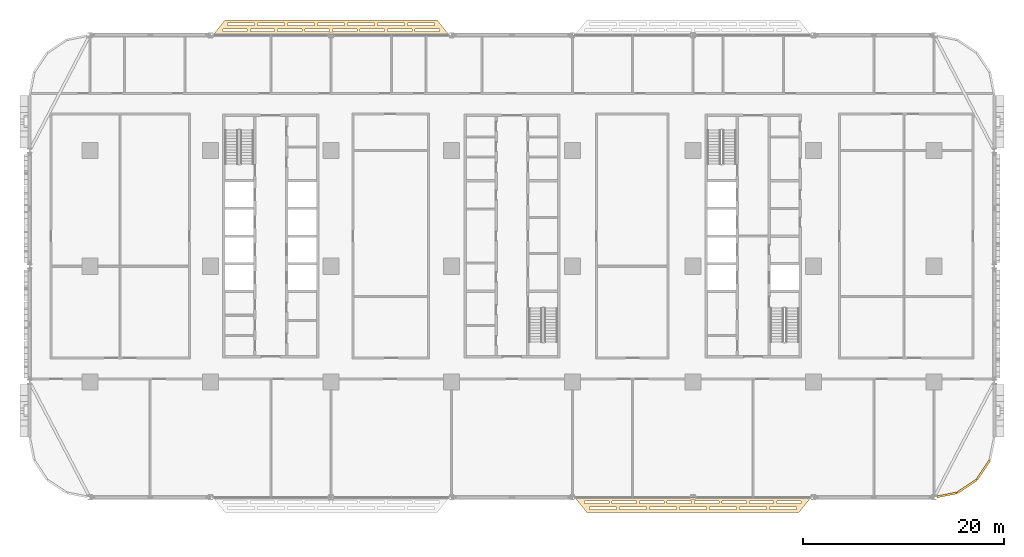
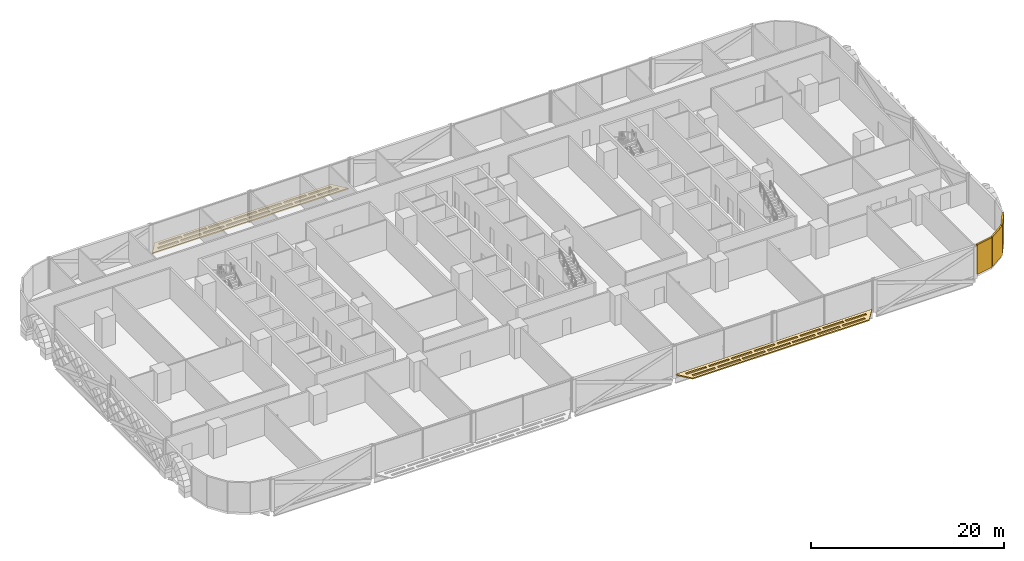
# One storey, part 26 of 29: 5 coverings.
"""IFC4 building model written with IfcOpenShell, lengths in metres."""

from ifc_helpers import new_model, si_unit, direction, frame, origin, origin_2d, place, context, subcontext, project, spatial, polyline, rectangle, outline, extrude, material, layer, layer_set, type_object, element, save


model = new_model("IFC4")

# Units and contexts
model_context = context("Model", 3, precision=1e-05, world=origin(), true_north=direction((0.0, 1.0)))
body_context = subcontext(model_context, "Body", "Model", "MODEL_VIEW")
ifc_project = project(units=[si_unit("LENGTHUNIT", "METRE"), si_unit("AREAUNIT", "SQUARE_METRE"), si_unit("VOLUMEUNIT", "CUBIC_METRE"), si_unit("PLANEANGLEUNIT", "RADIAN"), si_unit("MASSUNIT", "GRAM", prefix="KILO")], contexts=[model_context])

# Site, building, storey
site_placement = place(None, origin())
site = spatial("IfcSite", under=ifc_project, at=site_placement, CompositionType="ELEMENT")
building_placement = place(site_placement, origin())
building = spatial("IfcBuilding", under=site, at=building_placement, Name="Mahtab Terrace Research Tower", CompositionType="ELEMENT")
storey_placement = place(building_placement, frame((0.0, 0.0, 37.300048828125)))
storey = spatial("IfcBuildingStorey", under=building, at=storey_placement, Name="L08", CompositionType="ELEMENT", Elevation=37.300048828125)

# Coverings
ifc_material_1 = material(Name="Black aluminium cladding panel", Category="aluminium")
ifc_layer_1 = layer(ifc_material_1, 0.199951171875)
ifc_layer_set_1 = layer_set([ifc_layer_1], Name="Black metal corner cladding 200")
covering_type_1 = type_object("IfcCoveringType", Name="Black metal corner cladding 200", PredefinedType="CLADDING", material=ifc_layer_set_1)
covering_1_placement = place(storey_placement, frame((43.28173828125, -22.744873046875, 0.0), z_axis=(0.0, 0.0, 1.0), x_axis=(0.980760981187, 0.195212442692, 0.0)))
element("IfcCovering", 1, at=covering_1_placement, inside=storey, type_object=covering_type_1, Name="Corner cladding L08 29", PredefinedType="CLADDING", context=body_context, shape_type="SweptSolid", body=[
    extrude(rectangle(XDim=2.0283203125, YDim=0.199951171875, at=origin_2d()), origin(), (0.0, 0.0, 1.0), 3.75),
])
for number, where, z_axis, x_axis, name in (
    (2, (45.26953125, -21.89306640625, 0.0), (0.0, 0.0, 1.0), (0.831655794326, 0.555291490808, 0.0), "Corner cladding L08 30"),
    (3, (46.89306640625, -20.26953125, 0.0), (0.0, 0.0, 1.0), (0.555291490808, 0.831655794326, 0.0), "Corner cladding L08 31"),
):
    element("IfcCovering", number, at=place(storey_placement, frame(where, z_axis=z_axis, x_axis=x_axis)), inside=storey, type_object=covering_type_1, Name=name, PredefinedType="CLADDING", context=body_context, shape_type="SweptSolid", body=[
        extrude(rectangle(XDim=2.30126953125, YDim=0.199951171875, at=origin_2d()), origin(), (0.0, 0.0, 1.0), 3.75),
    ])
ifc_material_2 = material(Name="Black anodised aluminium", Category="aluminium")
ifc_layer_2 = layer(ifc_material_2, 0.14990234375)
ifc_layer_set_2 = layer_set([ifc_layer_2], Name="Horizontal sunshade band")
covering_type_2 = type_object("IfcCoveringType", Name="Horizontal sunshade band", PredefinedType="CLADDING", material=ifc_layer_set_2)
covering_2_placement = place(storey_placement, frame((0.0, 0.0, -0.150146484375)))
element("IfcCovering", 4, at=covering_2_placement, inside=storey, type_object=covering_type_2, Name="Sunshade band L08 7", PredefinedType="CLADDING", context=body_context, shape_type="SweptSolid", body=[
    extrude(outline(polyline([(-6.2490234375, 23.0), (-29.7509765625, 23.0), (-28.551025390625, 24.5), (-7.448974609375, 24.5), (-6.2490234375, 23.0)]), holes=[polyline([(-7.22900390625, 23.35009765625), (-9.658935546875, 23.35009765625), (-9.658935546875, 23.60009765625), (-7.22900390625, 23.60009765625), (-7.22900390625, 23.35009765625)]), polyline([(-9.958984375, 23.35009765625), (-12.388916015625, 23.35009765625), (-12.388916015625, 23.60009765625), (-9.958984375, 23.60009765625), (-9.958984375, 23.35009765625)]), polyline([(-12.68896484375, 23.35009765625), (-15.1201171875, 23.35009765625), (-15.1201171875, 23.60009765625), (-12.68896484375, 23.60009765625), (-12.68896484375, 23.35009765625)]), polyline([(-15.419921875, 23.35009765625), (-17.85009765625, 23.35009765625), (-17.85009765625, 23.60009765625), (-15.419921875, 23.60009765625), (-15.419921875, 23.35009765625)]), polyline([(-18.14990234375, 23.35009765625), (-20.580078125, 23.35009765625), (-20.580078125, 23.60009765625), (-18.14990234375, 23.60009765625), (-18.14990234375, 23.35009765625)]), polyline([(-20.8798828125, 23.35009765625), (-23.31005859375, 23.35009765625), (-23.31005859375, 23.60009765625), (-20.8798828125, 23.60009765625), (-20.8798828125, 23.35009765625)]), polyline([(-23.611083984375, 23.35009765625), (-26.041015625, 23.35009765625), (-26.041015625, 23.60009765625), (-23.611083984375, 23.60009765625), (-23.611083984375, 23.35009765625)]), polyline([(-26.341064453125, 23.35009765625), (-28.77099609375, 23.35009765625), (-28.77099609375, 23.60009765625), (-26.341064453125, 23.60009765625), (-26.341064453125, 23.35009765625)]), polyline([(-7.708984375, 23.949951171875), (-10.39208984375, 23.949951171875), (-10.39208984375, 24.199951171875), (-7.708984375, 24.199951171875), (-7.708984375, 23.949951171875)]), polyline([(-10.69189453125, 23.949951171875), (-13.375, 23.949951171875), (-13.375, 24.199951171875), (-10.69189453125, 24.199951171875), (-10.69189453125, 23.949951171875)]), polyline([(-13.675048828125, 23.949951171875), (-16.35791015625, 23.949951171875), (-16.35791015625, 24.199951171875), (-13.675048828125, 24.199951171875), (-13.675048828125, 23.949951171875)]), polyline([(-16.657958984375, 23.949951171875), (-19.342041015625, 23.949951171875), (-19.342041015625, 24.199951171875), (-16.657958984375, 24.199951171875), (-16.657958984375, 23.949951171875)]), polyline([(-19.64208984375, 23.949951171875), (-22.324951171875, 23.949951171875), (-22.324951171875, 24.199951171875), (-19.64208984375, 24.199951171875), (-19.64208984375, 23.949951171875)]), polyline([(-22.625, 23.949951171875), (-25.30810546875, 23.949951171875), (-25.30810546875, 24.199951171875), (-22.625, 24.199951171875), (-22.625, 23.949951171875)]), polyline([(-25.60791015625, 23.949951171875), (-28.291015625, 23.949951171875), (-28.291015625, 24.199951171875), (-25.60791015625, 24.199951171875), (-25.60791015625, 23.949951171875)])]), origin(), (0.0, 0.0, 1.0), 0.150146484375),
])
covering_3_placement = place(storey_placement, frame((0.0, 0.0, -0.150146484375)))
element("IfcCovering", 5, at=covering_3_placement, inside=storey, type_object=covering_type_2, Name="Sunshade band L08 26", PredefinedType="CLADDING", context=body_context, shape_type="SweptSolid", body=[
    extrude(outline(polyline([(6.2490234375, -23.0), (29.7509765625, -23.0), (28.551025390625, -24.5), (7.448974609375, -24.5), (6.2490234375, -23.0)]), holes=[polyline([(7.22900390625, -23.35009765625), (9.658935546875, -23.35009765625), (9.658935546875, -23.60009765625), (7.22900390625, -23.60009765625), (7.22900390625, -23.35009765625)]), polyline([(9.958984375, -23.35009765625), (12.388916015625, -23.35009765625), (12.388916015625, -23.60009765625), (9.958984375, -23.60009765625), (9.958984375, -23.35009765625)]), polyline([(12.68896484375, -23.35009765625), (15.1201171875, -23.35009765625), (15.1201171875, -23.60009765625), (12.68896484375, -23.60009765625), (12.68896484375, -23.35009765625)]), polyline([(15.419921875, -23.35009765625), (17.85009765625, -23.35009765625), (17.85009765625, -23.60009765625), (15.419921875, -23.60009765625), (15.419921875, -23.35009765625)]), polyline([(18.14990234375, -23.35009765625), (20.580078125, -23.35009765625), (20.580078125, -23.60009765625), (18.14990234375, -23.60009765625), (18.14990234375, -23.35009765625)]), polyline([(20.8798828125, -23.35009765625), (23.31005859375, -23.35009765625), (23.31005859375, -23.60009765625), (20.8798828125, -23.60009765625), (20.8798828125, -23.35009765625)]), polyline([(23.611083984375, -23.35009765625), (26.041015625, -23.35009765625), (26.041015625, -23.60009765625), (23.611083984375, -23.60009765625), (23.611083984375, -23.35009765625)]), polyline([(26.341064453125, -23.35009765625), (28.77099609375, -23.35009765625), (28.77099609375, -23.60009765625), (26.341064453125, -23.60009765625), (26.341064453125, -23.35009765625)]), polyline([(7.708984375, -23.949951171875), (10.39208984375, -23.949951171875), (10.39208984375, -24.199951171875), (7.708984375, -24.199951171875), (7.708984375, -23.949951171875)]), polyline([(10.69189453125, -23.949951171875), (13.375, -23.949951171875), (13.375, -24.199951171875), (10.69189453125, -24.199951171875), (10.69189453125, -23.949951171875)]), polyline([(13.675048828125, -23.949951171875), (16.35791015625, -23.949951171875), (16.35791015625, -24.199951171875), (13.675048828125, -24.199951171875), (13.675048828125, -23.949951171875)]), polyline([(16.657958984375, -23.949951171875), (19.342041015625, -23.949951171875), (19.342041015625, -24.199951171875), (16.657958984375, -24.199951171875), (16.657958984375, -23.949951171875)]), polyline([(19.64208984375, -23.949951171875), (22.324951171875, -23.949951171875), (22.324951171875, -24.199951171875), (19.64208984375, -24.199951171875), (19.64208984375, -23.949951171875)]), polyline([(22.625, -23.949951171875), (25.30810546875, -23.949951171875), (25.30810546875, -24.199951171875), (22.625, -24.199951171875), (22.625, -23.949951171875)]), polyline([(25.60791015625, -23.949951171875), (28.291015625, -23.949951171875), (28.291015625, -24.199951171875), (25.60791015625, -24.199951171875), (25.60791015625, -23.949951171875)])]), origin(), (0.0, 0.0, 1.0), 0.150146484375),
])

save(model, "model.ifc")
